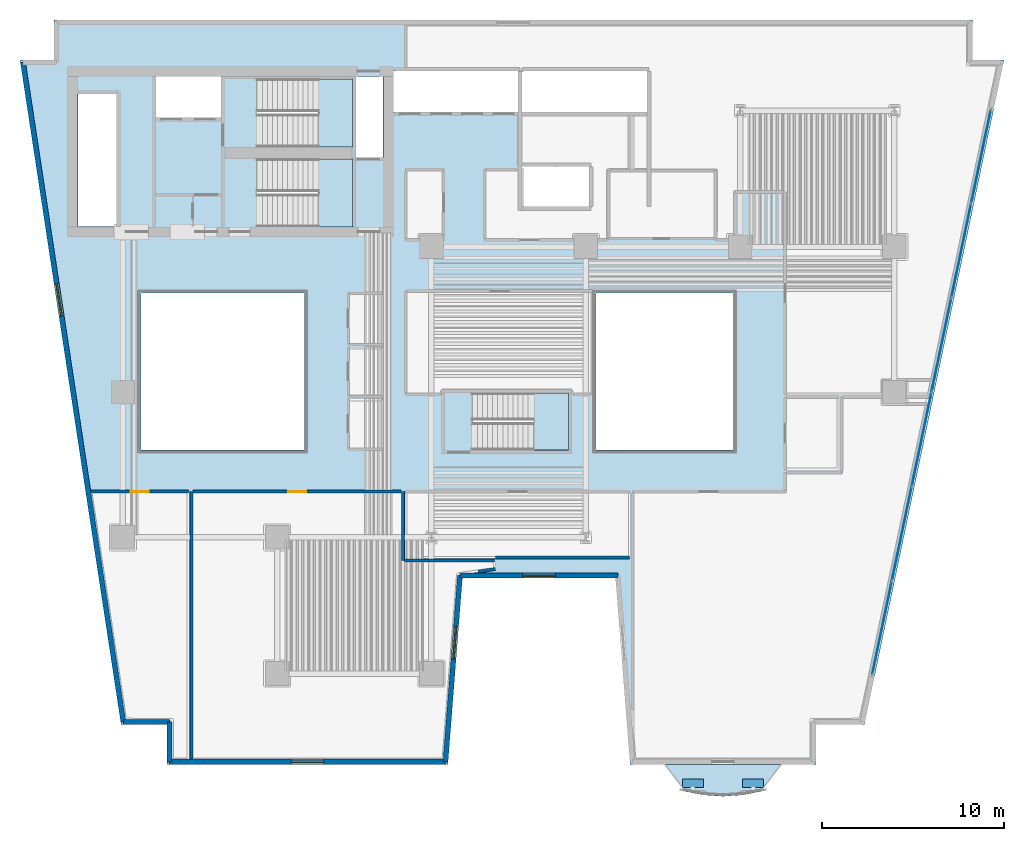
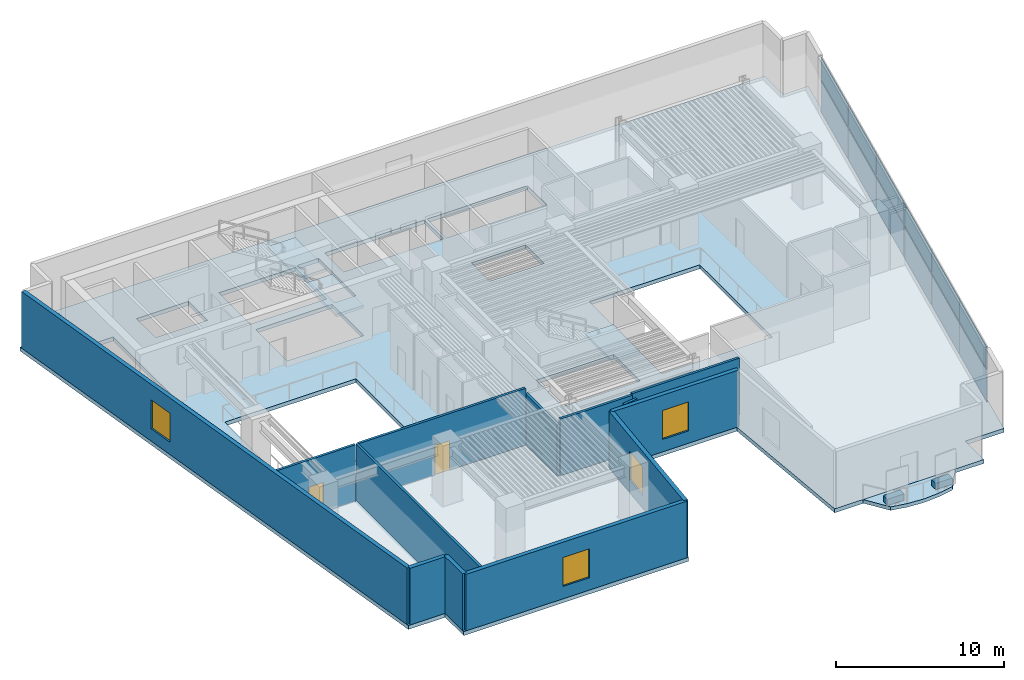
# One storey, part 3 of 12: 14 plates, 13 walls, 5 slabs, 4 windows, 2 doors, 6 openings, 4 elements without a shape of their own.
"""IFC4 building model written with IfcOpenShell, lengths in metres."""

from ifc_helpers import new_model, si_unit, direction, frame, frame_2d, origin, origin_2d, place, context, subcontext, project, spatial, polyline, rectangle, outline, extrude, material, layer, layer_set, type_object, element, fill, aggregate, save


model = new_model("IFC4")

# Units and contexts
model_context = context("Model", 3, precision=1e-05, world=origin(), true_north=direction((0.0, 1.0)))
body_context = subcontext(model_context, "Body", "Model", "MODEL_VIEW")
ifc_project = project(units=[si_unit("LENGTHUNIT", "METRE"), si_unit("AREAUNIT", "SQUARE_METRE"), si_unit("VOLUMEUNIT", "CUBIC_METRE"), si_unit("PLANEANGLEUNIT", "RADIAN"), si_unit("MASSUNIT", "GRAM", prefix="KILO")], contexts=[model_context])

# Site, building, storey
site_placement = place(None, origin())
site = spatial("IfcSite", under=ifc_project, at=site_placement, CompositionType="ELEMENT")
building_placement = place(site_placement, origin())
building = spatial("IfcBuilding", under=site, at=building_placement, Name="Caeloran Harvest Quay", CompositionType="ELEMENT")
storey_placement = place(building_placement, frame((0.0, 0.0, 93.0)))
storey = spatial("IfcBuildingStorey", under=building, at=storey_placement, Name="L21", CompositionType="ELEMENT", Elevation=93.0)

# Slab
ifc_material_1 = material(Name="Concrete C50/60", Category="concrete")
ifc_layer_1 = layer(ifc_material_1, 0.260009765625, Name="Concrete C50/60")
ifc_layer_set_1 = layer_set([ifc_layer_1], Name="Concrete C50/60")
slab_type_1 = type_object("IfcSlabType", Name="BALCONY-BL-260", PredefinedType="FLOOR", material=ifc_layer_set_1)
slab_1_placement = place(storey_placement, frame((0.0, 0.0, -0.260009765625)))
element("IfcSlab", 1, at=slab_1_placement, inside=storey, type_object=slab_type_1, Name="L21 Scalloped Cantilevered Planted Balcony Slab", PredefinedType="FLOOR", context=body_context, shape_type="SweptSolid", body=[
    extrude(outline(polyline([(43.686767578125, 1.0126953125), (42.622802734375, 0.809814453125), (41.55859375, 0.735595703125), (40.494384765625, 0.809814453125), (39.43017578125, 1.0126953125), (38.380126953125, 2.5), (44.73681640625, 2.5), (43.686767578125, 1.0126953125)])), origin(), (0.0, 0.0, 1.0), 0.260009765625),
])

# Curtain wall, plates
ifc_material_2 = material(Name="Aluminium 6063-T6 and Low-E Glazing", Category="aluminium")
ifc_layer_2 = layer(ifc_material_2, 0.199951171875, Name="Aluminium 6063-T6 and Low-E Glazing")
ifc_layer_set_2 = layer_set([ifc_layer_2], Name="Aluminium 6063-T6 and Low-E Glazing")
curtain_wall_type = type_object("IfcCurtainWallType", Name="CW-SYS-CW-2", PredefinedType="USERDEFINED", material=ifc_layer_set_2)
curtain_wall_placement = place(storey_placement, origin())
curtain_wall = element("IfcCurtainWall", 2, at=curtain_wall_placement, inside=storey, type_object=curtain_wall_type, Name="L21 Unitised Curtain Wall CW-2 Run 9", ObjectType="CURTAIN_WALL", PredefinedType="USERDEFINED")
ifc_material_3 = material(Name="Low-E Double Glazed Vision Glass Unit", Category="glass")
ifc_layer_3 = layer(ifc_material_3, 0.035888671875, Name="Low-E Double Glazed Vision Glass Unit")
ifc_layer_set_3 = layer_set([ifc_layer_3], Name="Low-E Double Glazed Vision Glass Unit")
plate_type_1 = type_object("IfcPlateType", Name="CW-VISION-PANEL", PredefinedType="CURTAIN_PANEL", material=ifc_layer_set_3)
plate_1_placement = place(storey_placement, frame((55.780029296875, 35.993408203125, 0.080078125), z_axis=(0.0, 0.0, 1.0), x_axis=(-0.205582960081, -0.978639691881, 0.0)))
plate_1 = element("IfcPlate", 3, at=plate_1_placement, type_object=plate_type_1, Name="CW-2 panel 1.1", PredefinedType="CURTAIN_PANEL", context=body_context, shape_type="SweptSolid", body=[
    extrude(rectangle(XDim=5.19873046875, YDim=0.035888671875, at=origin_2d()), origin(), (0.0, 0.0, 1.0), 2.280029296875),
])
plate_2_placement = place(storey_placement, frame((55.780029296875, 35.993408203125, 2.43994140625), z_axis=(0.0, 0.0, 1.0), x_axis=(-0.205582960081, -0.978639691881, 0.0)))
plate_2 = element("IfcPlate", 4, at=plate_2_placement, type_object=plate_type_1, Name="CW-2 panel 1.2", PredefinedType="CURTAIN_PANEL", context=body_context, shape_type="SweptSolid", body=[
    extrude(rectangle(XDim=5.19873046875, YDim=0.035888671875, at=origin_2d()), origin(), (0.0, 0.0, 1.0), 1.594970703125),
])
plate_3_placement = place(storey_placement, frame((54.690673828125, 30.807861328125, 0.080078125), z_axis=(0.0, 0.0, 1.0), x_axis=(-0.205582960081, -0.978639691881, 0.0)))
plate_3 = element("IfcPlate", 5, at=plate_3_placement, type_object=plate_type_1, Name="CW-2 panel 2.1", PredefinedType="CURTAIN_PANEL", context=body_context, shape_type="SweptSolid", body=[
    extrude(rectangle(XDim=5.23876953125, YDim=0.035888671875, at=origin_2d()), origin(), (0.0, 0.0, 1.0), 2.280029296875),
])
plate_4_placement = place(storey_placement, frame((54.690673828125, 30.807861328125, 2.43994140625), z_axis=(0.0, 0.0, 1.0), x_axis=(-0.205582960081, -0.978639691881, 0.0)))
plate_4 = element("IfcPlate", 6, at=plate_4_placement, type_object=plate_type_1, Name="CW-2 panel 2.2", PredefinedType="CURTAIN_PANEL", context=body_context, shape_type="SweptSolid", body=[
    extrude(rectangle(XDim=5.23876953125, YDim=0.035888671875, at=origin_2d()), origin(), (0.0, 0.0, 1.0), 1.594970703125),
])
plate_5_placement = place(storey_placement, frame((53.59716796875, 25.6025390625, 0.080078125), z_axis=(0.0, 0.0, 1.0), x_axis=(-0.205582960081, -0.978639691881, 0.0)))
plate_5 = element("IfcPlate", 7, at=plate_5_placement, type_object=plate_type_1, Name="CW-2 panel 3.1", PredefinedType="CURTAIN_PANEL", context=body_context, shape_type="SweptSolid", body=[
    extrude(rectangle(XDim=5.23876953125, YDim=0.035888671875, at=origin_2d()), origin(), (0.0, 0.0, 1.0), 2.280029296875),
])
plate_6_placement = place(storey_placement, frame((53.59716796875, 25.6025390625, 2.43994140625), z_axis=(0.0, 0.0, 1.0), x_axis=(-0.205582960081, -0.978639691881, 0.0)))
plate_6 = element("IfcPlate", 8, at=plate_6_placement, type_object=plate_type_1, Name="CW-2 panel 3.2", PredefinedType="CURTAIN_PANEL", context=body_context, shape_type="SweptSolid", body=[
    extrude(rectangle(XDim=5.23876953125, YDim=0.035888671875, at=origin_2d()), origin(), (0.0, 0.0, 1.0), 1.594970703125),
])
plate_7_placement = place(storey_placement, frame((52.503662109375, 20.3974609375, 0.080078125), z_axis=(0.0, 0.0, 1.0), x_axis=(-0.205582960081, -0.978639691881, 0.0)))
plate_7 = element("IfcPlate", 9, at=plate_7_placement, type_object=plate_type_1, Name="CW-2 panel 4.1", PredefinedType="CURTAIN_PANEL", context=body_context, shape_type="SweptSolid", body=[
    extrude(rectangle(XDim=5.23876953125, YDim=0.035888671875, at=origin_2d()), origin(), (0.0, 0.0, 1.0), 2.280029296875),
])
plate_8_placement = place(storey_placement, frame((52.503662109375, 20.3974609375, 2.43994140625), z_axis=(0.0, 0.0, 1.0), x_axis=(-0.205582960081, -0.978639691881, 0.0)))
plate_8 = element("IfcPlate", 10, at=plate_8_placement, type_object=plate_type_1, Name="CW-2 panel 4.2", PredefinedType="CURTAIN_PANEL", context=body_context, shape_type="SweptSolid", body=[
    extrude(rectangle(XDim=5.23876953125, YDim=0.035888671875, at=origin_2d()), origin(), (0.0, 0.0, 1.0), 1.594970703125),
])
plate_9_placement = place(storey_placement, frame((51.41015625, 15.192138671875, 0.080078125), z_axis=(0.0, 0.0, 1.0), x_axis=(-0.205582960081, -0.978639691881, 0.0)))
plate_9 = element("IfcPlate", 11, at=plate_9_placement, type_object=plate_type_1, Name="CW-2 panel 5.1", PredefinedType="CURTAIN_PANEL", context=body_context, shape_type="SweptSolid", body=[
    extrude(rectangle(XDim=5.23876953125, YDim=0.035888671875, at=origin_2d()), origin(), (0.0, 0.0, 1.0), 2.280029296875),
])
plate_10_placement = place(storey_placement, frame((51.41015625, 15.192138671875, 2.43994140625), z_axis=(0.0, 0.0, 1.0), x_axis=(-0.205582960081, -0.978639691881, 0.0)))
plate_10 = element("IfcPlate", 12, at=plate_10_placement, type_object=plate_type_1, Name="CW-2 panel 5.2", PredefinedType="CURTAIN_PANEL", context=body_context, shape_type="SweptSolid", body=[
    extrude(rectangle(XDim=5.23876953125, YDim=0.035888671875, at=origin_2d()), origin(), (0.0, 0.0, 1.0), 1.594970703125),
])
plate_11_placement = place(storey_placement, frame((50.321044921875, 10.006591796875, 0.080078125), z_axis=(0.0, 0.0, 1.0), x_axis=(-0.205582960081, -0.978639691881, 0.0)))
plate_11 = element("IfcPlate", 13, at=plate_11_placement, type_object=plate_type_1, Name="CW-2 panel 6.1", PredefinedType="CURTAIN_PANEL", context=body_context, shape_type="SweptSolid", body=[
    extrude(rectangle(XDim=5.19873046875, YDim=0.035888671875, at=origin_2d()), origin(), (0.0, 0.0, 1.0), 2.280029296875),
])
plate_12_placement = place(storey_placement, frame((50.321044921875, 10.006591796875, 2.43994140625), z_axis=(0.0, 0.0, 1.0), x_axis=(-0.205582960081, -0.978639691881, 0.0)))
plate_12 = element("IfcPlate", 14, at=plate_12_placement, type_object=plate_type_1, Name="CW-2 panel 6.2", PredefinedType="CURTAIN_PANEL", context=body_context, shape_type="SweptSolid", body=[
    extrude(rectangle(XDim=5.19873046875, YDim=0.035888671875, at=origin_2d()), origin(), (0.0, 0.0, 1.0), 1.594970703125),
])
aggregate(curtain_wall, [plate_1, plate_2, plate_3, plate_4, plate_5, plate_6, plate_7, plate_8, plate_9, plate_10, plate_11, plate_12])

# Plates
ifc_material_4 = material(Name="Precast concrete C50/60", Category="concrete")
ifc_layer_4 = layer(ifc_material_4, 0.449951171875, Name="Precast concrete C50/60")
ifc_layer_set_4 = layer_set([ifc_layer_4], Name="Precast concrete C50/60")
plate_type_2 = type_object("IfcPlateType", Name="PLANTER-TROUGH-450", PredefinedType="USERDEFINED", material=ifc_layer_set_4)
for number, where, z_axis, x_axis, name in (
    (15, (43.218505859375, 1.459228515625, 0.0), (0.0, 0.0, 1.0), (1.0, 0.0, 0.0), "L21 Balcony Vertical-Greenery Precast PLANTER Trough 1"),
    (16, (39.8984375, 1.459228515625, 0.0), (0.0, 0.0, 1.0), (1.0, 0.0, 0.0), "L21 Balcony Vertical-Greenery Precast PLANTER Trough 2"),
):
    element("IfcPlate", number, at=place(storey_placement, frame(where, z_axis=z_axis, x_axis=x_axis)), inside=storey, type_object=plate_type_2, Name=name, ObjectType="PLANTER", PredefinedType="USERDEFINED", context=body_context, shape_type="SweptSolid", body=[
        extrude(rectangle(XDim=1.14990234375, YDim=0.47998046875, at=origin_2d()), origin(), (0.0, 0.0, 1.0), 0.449951171875),
    ])

# Slab
ifc_layer_5 = layer(ifc_material_1, 0.284912109375, Name="Concrete C50/60")
ifc_layer_set_5 = layer_set([ifc_layer_5], Name="Concrete C50/60")
slab_type_2 = type_object("IfcSlabType", Name="SLAB-FS-285", PredefinedType="FLOOR", material=ifc_layer_set_5)
slab_2_placement = place(storey_placement, frame((0.0, 0.0, -0.284912109375)))
element("IfcSlab", 17, at=slab_2_placement, inside=storey, type_object=slab_type_2, Name="L21 Structural Floor Slab", PredefinedType="FLOOR", context=body_context, shape_type="SweptSolid", body=[
    extrude(outline(polyline([(10.93701171875, 2.5), (26.403076171875, 2.5), (27.202880859375, 12.75), (35.640380859375, 12.75), (36.4404296875, 2.5), (46.68701171875, 2.5), (46.68701171875, 4.699951171875), (49.34912109375, 4.699951171875), (57.037841796875, 41.300048828125), (55.300048828125, 41.300048828125), (55.300048828125, 43.5), (4.699951171875, 43.5), (4.699951171875, 41.300048828125), (2.834716796875, 41.300048828125), (8.40234375, 4.699951171875), (10.93701171875, 4.699951171875), (10.93701171875, 2.5)]), holes=[polyline([(18.5, 19.800048828125), (9.5, 19.800048828125), (9.5, 28.449951171875), (18.5, 28.449951171875), (18.5, 19.800048828125)]), polyline([(15.89990234375, 32.10009765625), (15.89990234375, 35.85009765625), (21.14990234375, 35.85009765625), (21.14990234375, 32.10009765625), (15.89990234375, 32.10009765625)]), polyline([(8.159912109375, 32.1201171875), (6.02001953125, 32.1201171875), (6.02001953125, 39.419921875), (8.159912109375, 39.419921875), (8.159912109375, 32.1201171875)]), polyline([(21.35009765625, 35.919921875), (21.35009765625, 40.3798828125), (22.830078125, 40.3798828125), (22.830078125, 35.919921875), (21.35009765625, 35.919921875)]), polyline([(15.89990234375, 40.25), (21.14990234375, 40.25), (21.14990234375, 36.5), (15.89990234375, 36.5), (15.89990234375, 40.25)]), polyline([(13.89990234375, 38.1201171875), (10.320068359375, 38.1201171875), (10.320068359375, 40.3798828125), (13.89990234375, 40.3798828125), (13.89990234375, 38.1201171875)]), polyline([(27.75, 22.949951171875), (33.050048828125, 22.949951171875), (33.050048828125, 19.800048828125), (27.75, 19.800048828125), (27.75, 22.949951171875)]), polyline([(34.550048828125, 19.800048828125), (34.550048828125, 28.449951171875), (42.14990234375, 28.449951171875), (42.14990234375, 19.800048828125), (34.550048828125, 19.800048828125)]), polyline([(34.199951171875, 33.219970703125), (30.47998046875, 33.219970703125), (30.47998046875, 35.429931640625), (34.199951171875, 35.429931640625), (34.199951171875, 33.219970703125)]), polyline([(23.419921875, 38.419921875), (23.419921875, 40.679931640625), (30.280029296875, 40.679931640625), (30.280029296875, 38.419921875), (23.419921875, 38.419921875)]), polyline([(30.47998046875, 38.419921875), (30.47998046875, 40.679931640625), (37.3798828125, 40.679931640625), (37.3798828125, 38.419921875), (30.47998046875, 38.419921875)])]), origin(), (0.0, 0.0, 1.0), 0.284912109375),
])

# Stair, slab
stair_type_1 = type_object("IfcStairType", Name="STAIR-STC-180", PredefinedType="HALF_TURN_STAIR", material=ifc_material_1)
stair_1_placement = place(storey_placement, origin())
stair_1 = element("IfcStair", 18, at=stair_1_placement, inside=storey, type_object=stair_type_1, Name="L21 Core Pressurized Exit Stair ST-C1", PredefinedType="HALF_TURN_STAIR")
ifc_layer_6 = layer(ifc_material_1, 0.219970703125, Name="Concrete C50/60")
ifc_layer_set_6 = layer_set([ifc_layer_6], Name="Concrete C50/60")
slab_type_3 = type_object("IfcSlabType", Name="STAIR-LANDING-220", PredefinedType="LANDING", material=ifc_layer_set_6)
slab_3_placement = place(storey_placement, frame((0.0, 0.0, 2.0)))
slab_3 = element("IfcSlab", 19, at=slab_3_placement, type_object=slab_type_3, Name="ST-C1 landing 1", PredefinedType="LANDING", context=body_context, shape_type="SweptSolid", body=[
    extrude(outline(polyline([(19.260009765625, 36.5), (21.14990234375, 36.5), (21.14990234375, 40.25), (19.260009765625, 40.25), (19.260009765625, 36.5)])), origin(), (0.0, 0.0, 1.0), 0.199951171875),
])
aggregate(stair_1, [slab_3])

stair_2_placement = place(storey_placement, origin())
stair_2 = element("IfcStair", 20, at=stair_2_placement, inside=storey, type_object=stair_type_1, Name="L21 Core Pressurized Exit Stair ST-C2", PredefinedType="HALF_TURN_STAIR")
slab_4_placement = place(storey_placement, frame((0.0, 0.0, 2.0)))
slab_4 = element("IfcSlab", 21, at=slab_4_placement, type_object=slab_type_3, Name="ST-C2 landing 1", PredefinedType="LANDING", context=body_context, shape_type="SweptSolid", body=[
    extrude(outline(polyline([(19.260009765625, 32.10009765625), (21.14990234375, 32.10009765625), (21.14990234375, 35.85009765625), (19.260009765625, 35.85009765625), (19.260009765625, 32.10009765625)])), origin(), (0.0, 0.0, 1.0), 0.199951171875),
])
aggregate(stair_2, [slab_4])

stair_type_2 = type_object("IfcStairType", Name="STAIR-STW-150", PredefinedType="HALF_TURN_STAIR", material=ifc_material_1)
stair_3_placement = place(storey_placement, origin())
stair_3 = element("IfcStair", 22, at=stair_3_placement, inside=storey, type_object=stair_type_2, Name="L21 East Wing Protected Exit Stair ST-W1", PredefinedType="HALF_TURN_STAIR")
slab_5_placement = place(storey_placement, frame((0.0, 0.0, 2.0)))
slab_5 = element("IfcSlab", 23, at=slab_5_placement, type_object=slab_type_3, Name="ST-W1 landing 1", PredefinedType="LANDING", context=body_context, shape_type="SweptSolid", body=[
    extrude(outline(polyline([(31.110107421875, 19.800048828125), (33.050048828125, 19.800048828125), (33.050048828125, 22.949951171875), (31.110107421875, 22.949951171875), (31.110107421875, 19.800048828125)])), origin(), (0.0, 0.0, 1.0), 0.199951171875),
])
aggregate(stair_3, [slab_5])

# Walls
ifc_layer_7 = layer(ifc_material_4, 0.280029296875, Name="Precast concrete C50/60")
ifc_layer_set_7 = layer_set([ifc_layer_7], Name="Precast concrete C50/60")
wall_type_1 = type_object("IfcWallType", Name="ENV-WALL-EW-280", PredefinedType="STANDARD", material=ifc_layer_set_7)
wall_1_placement = place(storey_placement, frame((11.076904296875, 2.639892578125, 0.0), z_axis=(0.0, 0.0, 1.0), x_axis=(0.0, 1.0, 0.0)))
element("IfcWall", 24, at=wall_1_placement, inside=storey, type_object=wall_type_1, Name="L21 Exterior Precast Concrete Facade Wall 1", PredefinedType="STANDARD", context=body_context, shape_type="SweptSolid", body=[
    extrude(rectangle(XDim=2.2001953125, YDim=0.280029296875, at=frame_2d((1.10009765625, 0.0))), origin(), (0.0, 0.0, 1.0), 4.114990234375),
])
wall_2_placement = place(storey_placement, frame((11.076904296875, 4.840087890625, 0.0), z_axis=(0.0, 0.0, 1.0), x_axis=(-1.0, 0.0, 0.0)))
element("IfcWall", 25, at=wall_2_placement, inside=storey, type_object=wall_type_1, Name="L21 Exterior Precast Concrete Facade Wall 2", PredefinedType="STANDARD", context=body_context, shape_type="SweptSolid", body=[
    extrude(rectangle(XDim=2.55419921875, YDim=0.280029296875, at=frame_2d((1.277099609375, 0.0))), origin(), (0.0, 0.0, 1.0), 4.114990234375),
])

# Wall, opening, window
wall_3_placement = place(storey_placement, frame((8.522705078125, 4.840087890625, 0.0), z_axis=(0.0, 0.0, 1.0), x_axis=(-0.150394554312, 0.988626055712, 0.0)))
wall_3 = element("IfcWall", 26, at=wall_3_placement, inside=storey, type_object=wall_type_1, Name="L21 Exterior Precast Concrete Facade Wall 3", PredefinedType="STANDARD", context=body_context, shape_type="SweptSolid", body=[
    extrude(rectangle(XDim=36.73779296875, YDim=0.280029296875, at=frame_2d((18.368896484375, 0.0))), origin(), (0.0, 0.0, 1.0), 4.114990234375),
])
opening_1_placement = place(wall_3_placement, frame((22.612060546875, 0.0, 0.89990234375)))
opening_1 = element("IfcOpeningElement", 27, at=opening_1_placement, cuts=wall_3, Name="Opening W-01", PredefinedType="OPENING", context=body_context, shape_type="SweptSolid", body=[
    extrude(rectangle(XDim=1.800048828125, YDim=2.10009765625, at=frame_2d((0.89990234375, 1.050048828125))), frame((0.0, 0.14990234375, 0.0), z_axis=(0.0, -1.0, 0.0), x_axis=(1.0, 0.0, 0.0)), (0.0, 0.0, 1.0), 0.300048828125),
])
ifc_material_5 = material(Name="Aluminium-Framed Low-E Laminated Glass", Category="aluminium")
window_type = type_object("IfcWindowType", Name="WIN-W-01", PartitioningType="SINGLE_PANEL", PredefinedType="WINDOW", material=ifc_material_5)
window_1_placement = place(opening_1_placement, origin())
window_1 = element("IfcWindow", 28, at=window_1_placement, inside=storey, type_object=window_type, Name="L21 Facade Punched Window W-01", OverallHeight=2.10009765625, OverallWidth=1.800048828125, PartitioningType="SINGLE_PANEL", PredefinedType="WINDOW", context=body_context, shape_type="SweptSolid", body=[
    extrude(rectangle(XDim=1.800048828125, YDim=2.10009765625, at=frame_2d((0.89990234375, 1.050048828125))), frame((0.0, 0.030029296875, 0.0), z_axis=(0.0, -1.0, 0.0), x_axis=(1.0, 0.0, 0.0)), (0.0, 0.0, 1.0), 0.06005859375),
])
fill(opening_1, window_1)

wall_4_placement = place(storey_placement, frame((35.77001953125, 12.889892578125, 0.0), z_axis=(0.0, 0.0, 1.0), x_axis=(-1.0, 0.0, 0.0)))
wall_4 = element("IfcWall", 29, at=wall_4_placement, inside=storey, type_object=wall_type_1, Name="L21 Exterior Precast Concrete Facade Wall 14", PredefinedType="STANDARD", context=body_context, shape_type="SweptSolid", body=[
    extrude(rectangle(XDim=8.696533203125, YDim=0.280029296875, at=frame_2d((4.34814453125, 0.0))), origin(), (0.0, 0.0, 1.0), 4.114990234375),
])
opening_2_placement = place(wall_4_placement, frame((3.447998046875, 0.0, 0.89990234375)))
opening_2 = element("IfcOpeningElement", 30, at=opening_2_placement, cuts=wall_4, Name="Opening W-01", PredefinedType="OPENING", context=body_context, shape_type="SweptSolid", body=[
    extrude(rectangle(XDim=1.800048828125, YDim=2.10009765625, at=frame_2d((0.89990234375, 1.050048828125))), frame((0.0, 0.14990234375, 0.0), z_axis=(0.0, -1.0, 0.0), x_axis=(1.0, 0.0, 0.0)), (0.0, 0.0, 1.0), 0.300048828125),
])
window_2_placement = place(opening_2_placement, origin())
window_2 = element("IfcWindow", 31, at=window_2_placement, inside=storey, type_object=window_type, Name="L21 Facade Punched Window W-01", OverallHeight=2.10009765625, OverallWidth=1.800048828125, PartitioningType="SINGLE_PANEL", PredefinedType="WINDOW", context=body_context, shape_type="SweptSolid", body=[
    extrude(rectangle(XDim=1.800048828125, YDim=2.10009765625, at=frame_2d((0.89990234375, 1.050048828125))), frame((0.0, 0.030029296875, 0.0), z_axis=(0.0, -1.0, 0.0), x_axis=(1.0, 0.0, 0.0)), (0.0, 0.0, 1.0), 0.06005859375),
])
fill(opening_2, window_2)

wall_5_placement = place(storey_placement, frame((27.073486328125, 12.889892578125, 0.0), z_axis=(0.0, 0.0, 1.0), x_axis=(-0.077816860153, -0.996967670627, 0.0)))
wall_5 = element("IfcWall", 32, at=wall_5_placement, inside=storey, type_object=wall_type_1, Name="L21 Exterior Precast Concrete Facade Wall 15", PredefinedType="STANDARD", context=body_context, shape_type="SweptSolid", body=[
    extrude(rectangle(XDim=10.28125, YDim=0.280029296875, at=frame_2d((5.140625, 0.0))), origin(), (0.0, 0.0, 1.0), 4.114990234375),
])
opening_3_placement = place(wall_5_placement, frame((2.801025390625, 0.0, 0.89990234375)))
opening_3 = element("IfcOpeningElement", 33, at=opening_3_placement, cuts=wall_5, Name="Opening W-01", PredefinedType="OPENING", context=body_context, shape_type="SweptSolid", body=[
    extrude(rectangle(XDim=1.800048828125, YDim=2.10009765625, at=frame_2d((0.89990234375, 1.050048828125))), frame((0.0, 0.14990234375, 0.0), z_axis=(0.0, -1.0, 0.0), x_axis=(1.0, 0.0, 0.0)), (0.0, 0.0, 1.0), 0.300048828125),
])
window_3_placement = place(opening_3_placement, origin())
window_3 = element("IfcWindow", 34, at=window_3_placement, inside=storey, type_object=window_type, Name="L21 Facade Punched Window W-01", OverallHeight=2.10009765625, OverallWidth=1.800048828125, PartitioningType="SINGLE_PANEL", PredefinedType="WINDOW", context=body_context, shape_type="SweptSolid", body=[
    extrude(rectangle(XDim=1.800048828125, YDim=2.10009765625, at=frame_2d((0.89990234375, 1.050048828125))), frame((0.0, 0.030029296875, 0.0), z_axis=(0.0, -1.0, 0.0), x_axis=(1.0, 0.0, 0.0)), (0.0, 0.0, 1.0), 0.06005859375),
])
fill(opening_3, window_3)

wall_6_placement = place(storey_placement, frame((26.2734375, 2.639892578125, 0.0), z_axis=(0.0, 0.0, 1.0), x_axis=(-1.0, 0.0, 0.0)))
wall_6 = element("IfcWall", 35, at=wall_6_placement, inside=storey, type_object=wall_type_1, Name="L21 Exterior Precast Concrete Facade Wall 16", PredefinedType="STANDARD", context=body_context, shape_type="SweptSolid", body=[
    extrude(rectangle(XDim=15.196533203125, YDim=0.280029296875, at=frame_2d((7.59814453125, 0.0))), origin(), (0.0, 0.0, 1.0), 4.114990234375),
])
opening_4_placement = place(wall_6_placement, frame((6.697998046875, 0.0, 0.89990234375)))
opening_4 = element("IfcOpeningElement", 36, at=opening_4_placement, cuts=wall_6, Name="Opening W-01", PredefinedType="OPENING", context=body_context, shape_type="SweptSolid", body=[
    extrude(rectangle(XDim=1.800048828125, YDim=2.10009765625, at=frame_2d((0.89990234375, 1.050048828125))), frame((0.0, 0.14990234375, 0.0), z_axis=(0.0, -1.0, 0.0), x_axis=(1.0, 0.0, 0.0)), (0.0, 0.0, 1.0), 0.300048828125),
])
window_4_placement = place(opening_4_placement, origin())
window_4 = element("IfcWindow", 37, at=window_4_placement, inside=storey, type_object=window_type, Name="L21 Facade Punched Window W-01", OverallHeight=2.10009765625, OverallWidth=1.800048828125, PartitioningType="SINGLE_PANEL", PredefinedType="WINDOW", context=body_context, shape_type="SweptSolid", body=[
    extrude(rectangle(XDim=1.800048828125, YDim=2.10009765625, at=frame_2d((0.89990234375, 1.050048828125))), frame((0.0, 0.030029296875, 0.0), z_axis=(0.0, -1.0, 0.0), x_axis=(1.0, 0.0, 0.0)), (0.0, 0.0, 1.0), 0.06005859375),
])
fill(opening_4, window_4)

# Walls
ifc_material_6 = material(Name="Autoclaved Aerated Concrete Blockwork", Category="masonry")
ifc_layer_8 = layer(ifc_material_6, 0.1650390625, Name="Autoclaved Aerated Concrete Blockwork")
ifc_layer_set_8 = layer_set([ifc_layer_8], Name="Autoclaved Aerated Concrete Blockwork")
wall_type_2 = type_object("IfcWallType", Name="INT-WALL-PW-165", PredefinedType="PARTITIONING", material=ifc_layer_set_8)
wall_7_placement = place(storey_placement, frame((23.919921875, 17.52001953125, 0.0), z_axis=(0.0, 0.0, 1.0), x_axis=(0.0, -1.0, 0.0)))
element("IfcWall", 38, at=wall_7_placement, inside=storey, type_object=wall_type_2, Name="Executive Agronomy Design Studio Partition Wall", PredefinedType="PARTITIONING", context=body_context, shape_type="SweptSolid", body=[
    extrude(rectangle(XDim=3.800048828125, YDim=0.1650390625, at=frame_2d((1.89990234375, 0.0))), origin(), (0.0, 0.0, 1.0), 3.699951171875),
])
wall_8_placement = place(storey_placement, frame((24.007568359375, 13.719970703125, 0.0), z_axis=(0.0, 0.0, 1.0), x_axis=(1.0, 0.0, 0.0)))
element("IfcWall", 39, at=wall_8_placement, inside=storey, type_object=wall_type_2, Name="Executive Agronomy Design Studio Partition Wall", PredefinedType="PARTITIONING", context=body_context, shape_type="SweptSolid", body=[
    extrude(rectangle(XDim=4.96337890625, YDim=0.1650390625, at=frame_2d((2.481689453125, 0.0))), origin(), (0.0, 0.0, 1.0), 4.114990234375),
])
wall_9_placement = place(storey_placement, frame((29.0048828125, 13.262939453125, 0.0), z_axis=(0.0, 0.0, 1.0), x_axis=(-0.988919061759, -0.148455681233, 0.0)))
element("IfcWall", 40, at=wall_9_placement, inside=storey, type_object=wall_type_2, Name="Executive Agronomy Design Studio Partition Wall", PredefinedType="PARTITIONING", context=body_context, shape_type="SweptSolid", body=[
    extrude(rectangle(XDim=0.932373046875, YDim=0.1650390625, at=frame_2d((0.46630859375, 0.0))), origin(), (0.0, 0.0, 1.0), 4.114990234375),
])
wall_10_placement = place(storey_placement, frame((12.280029296875, 2.784912109375, 0.0), z_axis=(0.0, 0.0, 1.0), x_axis=(0.0, 1.0, 0.0)))
element("IfcWall", 41, at=wall_10_placement, inside=storey, type_object=wall_type_2, Name="Executive Agronomy Design Studio Partition Wall", PredefinedType="PARTITIONING", context=body_context, shape_type="SweptSolid", body=[
    extrude(rectangle(XDim=14.735107421875, YDim=0.1650390625, at=frame_2d((7.36767578125, 0.0))), origin(), (0.0, 0.0, 1.0), 4.114990234375),
])

# Wall, opening, door
wall_11_placement = place(storey_placement, frame((12.367431640625, 17.52001953125, 0.0), z_axis=(0.0, 0.0, 1.0), x_axis=(1.0, 0.0, 0.0)))
wall_11 = element("IfcWall", 42, at=wall_11_placement, inside=storey, type_object=wall_type_2, Name="Executive Agronomy Design Studio Partition Wall", PredefinedType="PARTITIONING", context=body_context, shape_type="SweptSolid", body=[
    extrude(rectangle(XDim=11.465087890625, YDim=0.1650390625, at=frame_2d((5.732421875, 0.0))), origin(), (0.0, 0.0, 1.0), 4.114990234375),
])
opening_5_placement = place(wall_11_placement, frame((5.232421875, 0.0, 0.0)))
opening_5 = element("IfcOpeningElement", 43, at=opening_5_placement, cuts=wall_11, Name="Opening ID-01", PredefinedType="OPENING", context=body_context, shape_type="SweptSolid", body=[
    extrude(rectangle(XDim=1.0, YDim=2.14990234375, at=frame_2d((0.5, 1.074951171875))), frame((0.0, 0.092529296875, 0.0), z_axis=(0.0, -1.0, 0.0), x_axis=(1.0, 0.0, 0.0)), (0.0, 0.0, 1.0), 0.18505859375),
])
ifc_material_7 = material(Name="FSC Solid-Core Ash Timber and Acoustic Seal", Category="wood")
door_type = type_object("IfcDoorType", Name="INTDOOR-ID-01", OperationType="NOTDEFINED", PredefinedType="DOOR", material=ifc_material_7)
door_1_placement = place(opening_5_placement, origin())
door_1 = element("IfcDoor", 44, at=door_1_placement, inside=storey, type_object=door_type, Name="Executive Agronomy Design Studio Access Door", OperationType="SINGLE_SWING_LEFT", OverallHeight=2.14990234375, OverallWidth=1.0, PredefinedType="DOOR", context=body_context, shape_type="SweptSolid", body=[
    extrude(rectangle(XDim=1.0, YDim=2.14990234375, at=frame_2d((0.5, 1.074951171875))), frame((0.0, 0.02490234375, 0.0), z_axis=(0.0, -1.0, 0.0), x_axis=(1.0, 0.0, 0.0)), (0.0, 0.0, 1.0), 0.050048828125),
])
fill(opening_5, door_1)

wall_12_placement = place(storey_placement, frame((6.740478515625, 17.52001953125, 0.0), z_axis=(0.0, 0.0, 1.0), x_axis=(1.0, 0.0, 0.0)))
wall_12 = element("IfcWall", 45, at=wall_12_placement, inside=storey, type_object=wall_type_2, Name="Regional Food Policy Boardroom Partition Wall", PredefinedType="PARTITIONING", context=body_context, shape_type="SweptSolid", body=[
    extrude(rectangle(XDim=5.379638671875, YDim=0.1650390625, at=frame_2d((2.68994140625, 0.0))), origin(), (0.0, 0.0, 1.0), 4.114990234375),
])
opening_6_placement = place(wall_12_placement, frame((2.189697265625, 0.0, 0.0)))
opening_6 = element("IfcOpeningElement", 46, at=opening_6_placement, cuts=wall_12, Name="Opening ID-01", PredefinedType="OPENING", context=body_context, shape_type="SweptSolid", body=[
    extrude(rectangle(XDim=1.0, YDim=2.14990234375, at=frame_2d((0.5, 1.074951171875))), frame((0.0, 0.092529296875, 0.0), z_axis=(0.0, -1.0, 0.0), x_axis=(1.0, 0.0, 0.0)), (0.0, 0.0, 1.0), 0.18505859375),
])
door_2_placement = place(opening_6_placement, origin())
door_2 = element("IfcDoor", 47, at=door_2_placement, inside=storey, type_object=door_type, Name="Regional Food Policy Boardroom Access Door", OperationType="SINGLE_SWING_RIGHT", OverallHeight=2.14990234375, OverallWidth=1.0, PredefinedType="DOOR", context=body_context, shape_type="SweptSolid", body=[
    extrude(rectangle(XDim=1.0, YDim=2.14990234375, at=frame_2d((0.5, 1.074951171875))), frame((0.0, 0.02490234375, 0.0), z_axis=(0.0, -1.0, 0.0), x_axis=(1.0, 0.0, 0.0)), (0.0, 0.0, 1.0), 0.050048828125),
])
fill(opening_6, door_2)

# Wall
wall_13_placement = place(storey_placement, frame((36.419921875, 13.8798828125, 0.0), z_axis=(0.0, 0.0, 1.0), x_axis=(-1.0, 0.0, 0.0)))
element("IfcWall", 48, at=wall_13_placement, inside=storey, type_object=wall_type_2, Name="Client Briefing Conference Room Partition Wall", PredefinedType="PARTITIONING", context=body_context, shape_type="SweptSolid", body=[
    extrude(rectangle(XDim=7.39501953125, YDim=0.1650390625, at=frame_2d((3.697509765625, 0.0))), origin(), (0.0, 0.0, 1.0), 4.114990234375),
])

save(model, "model.ifc")
